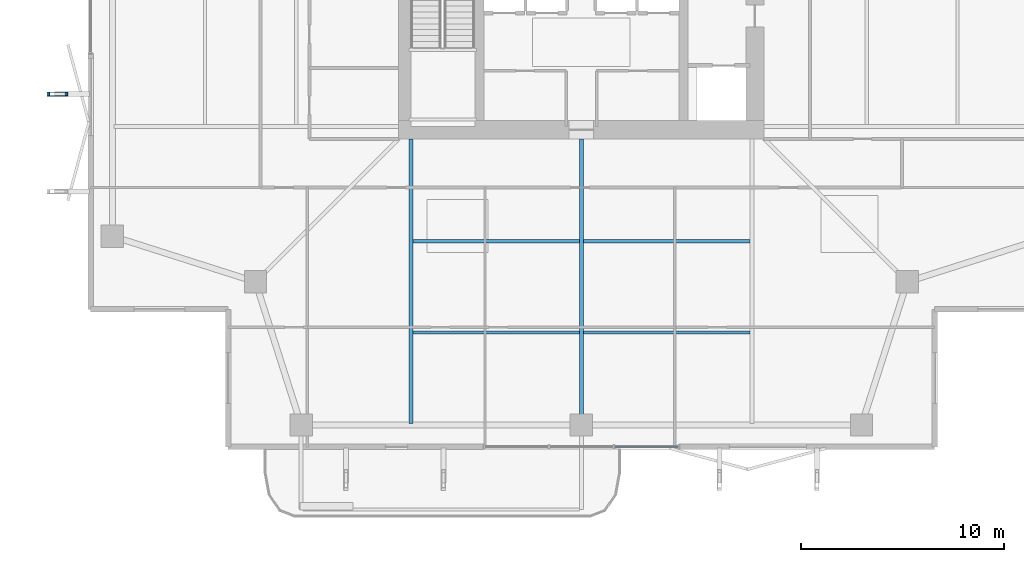
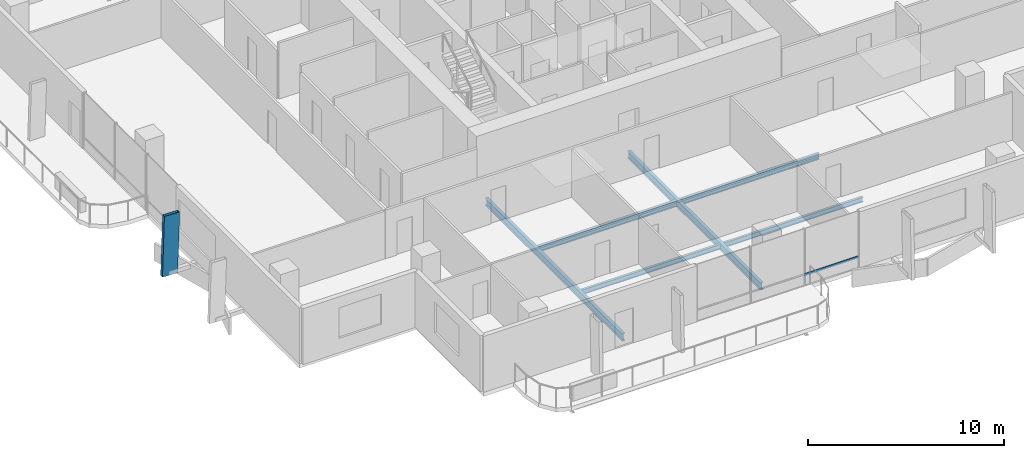
# One storey, part 3 of 25: 6 beams, 2 members, 1 element without a shape of its own.
"""IFC4 building model written with IfcOpenShell, lengths in metres."""

from ifc_helpers import new_model, si_unit, direction, frame, origin, origin_2d, place, context, subcontext, project, spatial, hollow_rectangle, i_section, extrude, material, layer, layer_set, material_profile, profile_set, type_object, element, aggregate, save


model = new_model("IFC4")

# Units and contexts
model_context = context("Model", 3, precision=1e-05, world=origin(), true_north=direction((0.0, 1.0)))
body_context = subcontext(model_context, "Body", "Model", "MODEL_VIEW")
ifc_project = project(units=[si_unit("LENGTHUNIT", "METRE"), si_unit("AREAUNIT", "SQUARE_METRE"), si_unit("VOLUMEUNIT", "CUBIC_METRE"), si_unit("PLANEANGLEUNIT", "RADIAN"), si_unit("MASSUNIT", "GRAM", prefix="KILO")], contexts=[model_context])

# Site, building, storey
site_placement = place(None, origin())
site = spatial("IfcSite", under=ifc_project, at=site_placement, CompositionType="ELEMENT")
building_placement = place(site_placement, origin())
building = spatial("IfcBuilding", under=site, at=building_placement, Name="Belovzor Exchange Tower", CompositionType="ELEMENT")
storey_placement = place(building_placement, frame((0.0, 0.0, 149.550048828125)))
storey = spatial("IfcBuildingStorey", under=building, at=storey_placement, Name="L36", CompositionType="ELEMENT", Elevation=149.550048828125)

# Beams
ifc_material_1 = material(Name="Steel S355", Category="steel")
ifc_material_profile_1 = material_profile(ifc_material_1, i_section(OverallWidth=0.169921875, OverallDepth=0.360107421875, WebThickness=0.008056640625, FlangeThickness=0.0126953125, at=origin_2d()))
ifc_profile_set_1 = profile_set([ifc_material_profile_1], Name="Steel S355")
beam_type_1 = type_object("IfcBeamType", Name="Secondary Infill Floor Joist IPE 360", PredefinedType="BEAM", material=ifc_profile_set_1)
for number, where, z_axis, x_axis, name in (
    (1, (20.4951171875, 14.7509765625, -0.43505859375), (1.0, 0.0, 0.0), (0.0, 1.0, 0.0), "FJ-360 Secondary Infill Floor Joist IPE 360"),
    (2, (28.89501953125, 14.7509765625, -0.43505859375), (1.0, 0.0, 0.0), (0.0, 1.0, 0.0), "FJ-360 Secondary Infill Floor Joist IPE 360"),
):
    element("IfcBeam", number, at=place(storey_placement, frame(where, z_axis=z_axis, x_axis=x_axis)), inside=storey, type_object=beam_type_1, Name=name, PredefinedType="BEAM", context=body_context, shape_type="SweptSolid", body=[
        extrude(i_section(OverallWidth=0.169921875, OverallDepth=0.360107421875, WebThickness=0.008056640625, FlangeThickness=0.0126953125, at=origin_2d()), origin(), (0.0, 0.0, 1.0), 8.2099609375),
    ])
ifc_material_2 = material(Name="Steel S355", Category="steel")
ifc_material_profile_2 = material_profile(ifc_material_2, i_section(OverallWidth=0.14990234375, OverallDepth=0.300048828125, WebThickness=0.007080078125, FlangeThickness=0.0107421875, at=origin_2d()))
ifc_profile_set_2 = profile_set([ifc_material_profile_2], Name="Steel S355")
beam_type_2 = type_object("IfcBeamType", Name="Secondary Trim Floor Joist IPE 300", PredefinedType="BEAM", material=ifc_profile_set_2)
for number, where, z_axis, x_axis, name in (
    (3, (20.4951171875, 10.262939453125, -0.405029296875), (1.0, 0.0, 0.0), (0.0, 1.0, 0.0), "FJ-300 Secondary Trim Floor Joist IPE 300"),
    (4, (28.89501953125, 10.262939453125, -0.405029296875), (1.0, 0.0, 0.0), (0.0, 1.0, 0.0), "FJ-300 Secondary Trim Floor Joist IPE 300"),
):
    element("IfcBeam", number, at=place(storey_placement, frame(where, z_axis=z_axis, x_axis=x_axis)), inside=storey, type_object=beam_type_2, Name=name, PredefinedType="BEAM", context=body_context, shape_type="SweptSolid", body=[
        extrude(i_section(OverallWidth=0.14990234375, OverallDepth=0.300048828125, WebThickness=0.007080078125, FlangeThickness=0.0107421875, at=origin_2d()), origin(), (0.0, 0.0, 1.0), 8.2099609375),
    ])

# Member
ifc_material_3 = material(Name="Extruded Architectural Terracotta on Steel S355 Carrier", Category="masonry")
ifc_material_profile_3 = material_profile(ifc_material_3, hollow_rectangle(XDim=0.199951171875, YDim=0.89990234375, WallThickness=0.011962890625, at=origin_2d()))
ifc_profile_set_3 = profile_set([ifc_material_profile_3], Name="Extruded Architectural Terracotta on Steel S355 Carrier")
member_type_1 = type_object("IfcMemberType", Name="Sweeping Terracotta Baguette Fin Assembly 1250", PredefinedType="USERDEFINED", material=ifc_profile_set_3)
member_1_placement = place(storey_placement, frame((2.93603515625, 22.0, -0.255126953125), z_axis=(0.030129544208, 0.0, 0.999546002226), x_axis=(0.0, 1.0, 0.0)))
element("IfcMember", 5, at=member_1_placement, inside=storey, type_object=member_type_1, Name="FIN-TC125 Terracotta Facade Fin L36 W2", ObjectType="FIN", PredefinedType="USERDEFINED", context=body_context, shape_type="SweptSolid", body=[
    extrude(hollow_rectangle(XDim=0.199951171875, YDim=0.89990234375, WallThickness=0.011962890625, at=origin_2d()), origin(), (0.0, 0.0, 1.0), 3.751708984375),
])

# Curtain wall, member
ifc_material_4 = material(Name="Anodised Aluminium Framing", Category="aluminium")
ifc_layer = layer(ifc_material_4, 0.179931640625)
ifc_layer_set = layer_set([ifc_layer], Name="Anodised Aluminium Framing")
curtain_wall_type = type_object("IfcCurtainWallType", Name="Recessed Loggia Low-Iron Triple-Glazed Curtain Wall", PredefinedType="NOTDEFINED", material=ifc_layer_set)
curtain_wall_placement = place(storey_placement, origin())
curtain_wall = element("IfcCurtainWall", 6, at=curtain_wall_placement, inside=storey, type_object=curtain_wall_type, Name="CW3 Recessed Loggia Low-Iron Triple-Glazed Curtain Wall L36", PredefinedType="NOTDEFINED")
ifc_material_5 = material(Name="Steel S355", Category="steel")
ifc_material_profile_4 = material_profile(ifc_material_5, hollow_rectangle(XDim=0.06005859375, YDim=0.14990234375, WallThickness=0.00390625, at=origin_2d()))
ifc_profile_set_4 = profile_set([ifc_material_profile_4], Name="Steel S355")
member_type_2 = type_object("IfcMemberType", Name="Thermally Broken Curtain Wall Transom 150x60", PredefinedType="USERDEFINED", material=ifc_profile_set_4)
member_2_placement = place(storey_placement, frame((33.592041015625, 4.6298828125, 0.62890625), z_axis=(-1.0, 0.0, 0.0), x_axis=(0.0, -1.0, 0.0)))
member_2 = element("IfcMember", 7, at=member_2_placement, type_object=member_type_2, Name="CW-T150 Curtain Wall Transom 1", ObjectType="TRANSOM", PredefinedType="USERDEFINED", context=body_context, shape_type="SweptSolid", body=[
    extrude(hollow_rectangle(XDim=0.06005859375, YDim=0.14990234375, WallThickness=0.00390625, at=origin_2d()), origin(), (0.0, 0.0, 1.0), 3.18408203125),
])
aggregate(curtain_wall, [member_2])

# Beams
ifc_material_6 = material(Name="Steel S355", Category="steel")
ifc_material_profile_5 = material_profile(ifc_material_6, i_section(OverallWidth=0.18994140625, OverallDepth=0.449951171875, WebThickness=0.009521484375, FlangeThickness=0.0146484375, at=origin_2d()))
ifc_profile_set_5 = profile_set([ifc_material_profile_5], Name="Steel S355")
beam_type_3 = type_object("IfcBeamType", Name="Zone 2-4 Radial Composite Floor Beam IPE 450", PredefinedType="BEAM", material=ifc_profile_set_5)
beam_1_placement = place(storey_placement, frame((20.39990234375, 19.800048828125, -0.47998046875), z_axis=(0.0, -1.0, 0.0), x_axis=(1.0, 0.0, 0.0)))
element("IfcBeam", 8, at=beam_1_placement, inside=storey, type_object=beam_type_3, Name="FB-450 Zone 2-4 Radial Composite Floor Beam IPE 450", PredefinedType="BEAM", context=body_context, shape_type="SweptSolid", body=[
    extrude(i_section(OverallWidth=0.18994140625, OverallDepth=0.449951171875, WebThickness=0.009521484375, FlangeThickness=0.0146484375, at=origin_2d()), origin(), (0.0, 0.0, 1.0), 14.025146484375),
])
beam_2_placement = place(storey_placement, frame((28.800048828125, 19.800048828125, -0.47998046875), z_axis=(0.0, -1.0, 0.0), x_axis=(1.0, 0.0, 0.0)))
element("IfcBeam", 9, at=beam_2_placement, inside=storey, type_object=beam_type_3, Name="FB-450 Zone 2-4 Radial Composite Floor Beam IPE 450", PredefinedType="BEAM", context=body_context, shape_type="SweptSolid", body=[
    extrude(i_section(OverallWidth=0.18994140625, OverallDepth=0.449951171875, WebThickness=0.009521484375, FlangeThickness=0.0146484375, at=origin_2d()), origin(), (0.0, 0.0, 1.0), 13.615966796875),
])

save(model, "model.ifc")
